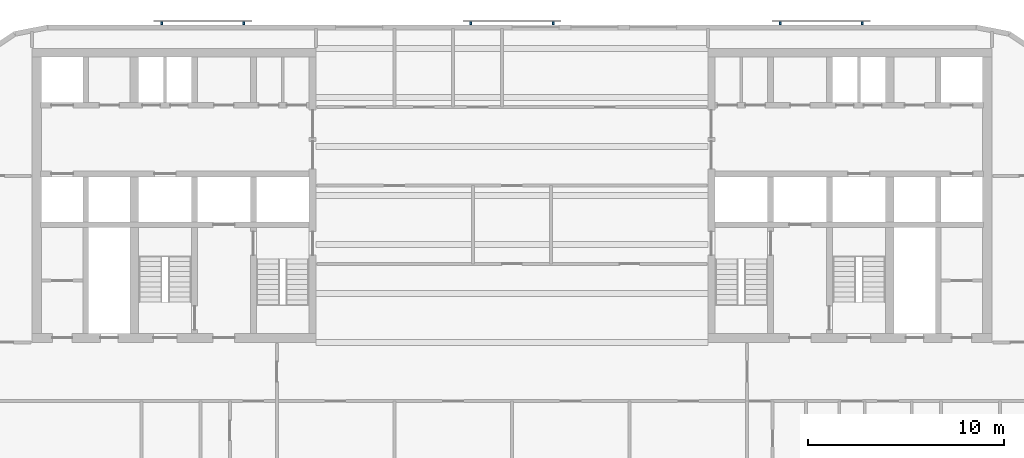
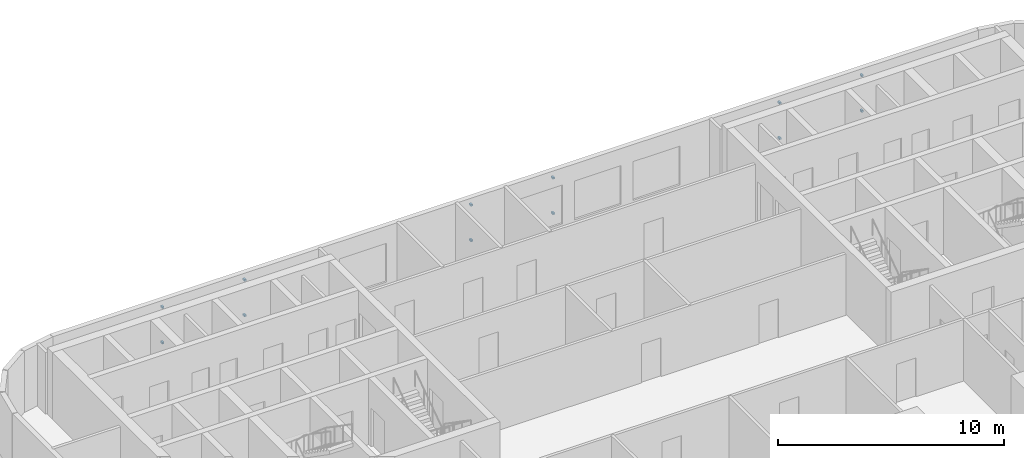
# One storey, part 9 of 12: 12 discrete accessories.
"""IFC4 building model written with IfcOpenShell, lengths in metres."""

from ifc_helpers import new_model, si_unit, direction, frame, origin, origin_2d, place, context, subcontext, project, spatial, rectangle, extrude, material, type_object, element, save


model = new_model("IFC4")

# Units and contexts
model_context = context("Model", 3, precision=1e-05, world=origin(), true_north=direction((0.0, 1.0)))
body_context = subcontext(model_context, "Body", "Model", "MODEL_VIEW")
ifc_project = project(units=[si_unit("LENGTHUNIT", "METRE"), si_unit("AREAUNIT", "SQUARE_METRE"), si_unit("VOLUMEUNIT", "CUBIC_METRE"), si_unit("PLANEANGLEUNIT", "RADIAN"), si_unit("MASSUNIT", "GRAM", prefix="KILO")], contexts=[model_context])

# Site, building, storey
site_placement = place(None, origin())
site = spatial("IfcSite", under=ifc_project, at=site_placement, CompositionType="ELEMENT")
building_placement = place(site_placement, origin())
building = spatial("IfcBuilding", under=site, at=building_placement, Name="Torana Hotel and Residences", CompositionType="ELEMENT")
storey_placement = place(building_placement, frame((0.0, 0.0, 159.60009765625)))
storey = spatial("IfcBuildingStorey", under=building, at=storey_placement, Name="L41", CompositionType="ELEMENT", Elevation=159.60009765625)

# Discrete accessories
ifc_material = material(Name="Steel S355", Category="steel")
discrete_accessory_type = type_object("IfcDiscreteAccessoryType", Name="SCREEN BRACKET 100", PredefinedType="BRACKET", material=ifc_material)
for number, where, z_axis, x_axis, name in (
    (1, (17.883544921875, 1.27490234375, 0.749755859375), (0.0, 0.0, 1.0), (-1.0, 0.0, 0.0), "Screen bracket L41"),
    (2, (17.883544921875, 1.27490234375, 2.669921875), (0.0, 0.0, 1.0), (-1.0, 0.0, 0.0), "Screen bracket L41"),
    (3, (13.68359375, 1.27490234375, 0.749755859375), (0.0, 0.0, 1.0), (-1.0, 0.0, 0.0), "Screen bracket L41"),
    (4, (13.68359375, 1.27490234375, 2.669921875), (0.0, 0.0, 1.0), (-1.0, 0.0, 0.0), "Screen bracket L41"),
    (5, (2.10009765625, 1.27490234375, 0.749755859375), (0.0, 0.0, 1.0), (-1.0, 0.0, 0.0), "Screen bracket L41"),
    (6, (2.10009765625, 1.27490234375, 2.669921875), (0.0, 0.0, 1.0), (-1.0, 0.0, 0.0), "Screen bracket L41"),
    (7, (-2.10009765625, 1.27490234375, 0.749755859375), (0.0, 0.0, 1.0), (-1.0, 0.0, 0.0), "Screen bracket L41"),
    (8, (-2.10009765625, 1.27490234375, 2.669921875), (0.0, 0.0, 1.0), (-1.0, 0.0, 0.0), "Screen bracket L41"),
    (9, (-13.68359375, 1.27490234375, 0.749755859375), (0.0, 0.0, 1.0), (-1.0, 0.0, 0.0), "Screen bracket L41"),
    (10, (-13.68359375, 1.27490234375, 2.669921875), (0.0, 0.0, 1.0), (-1.0, 0.0, 0.0), "Screen bracket L41"),
    (11, (-17.883544921875, 1.27490234375, 0.749755859375), (0.0, 0.0, 1.0), (-1.0, 0.0, 0.0), "Screen bracket L41"),
    (12, (-17.883544921875, 1.27490234375, 2.669921875), (0.0, 0.0, 1.0), (-1.0, 0.0, 0.0), "Screen bracket L41"),
):
    element("IfcDiscreteAccessory", number, at=place(storey_placement, frame(where, z_axis=z_axis, x_axis=x_axis)), inside=storey, type_object=discrete_accessory_type, Name=name, PredefinedType="BRACKET", context=body_context, shape_type="SweptSolid", body=[
        extrude(rectangle(XDim=0.10009765625, YDim=0.14990234375, at=origin_2d()), origin(), (0.0, 0.0, 1.0), 0.10009765625),
    ])

save(model, "model.ifc")
